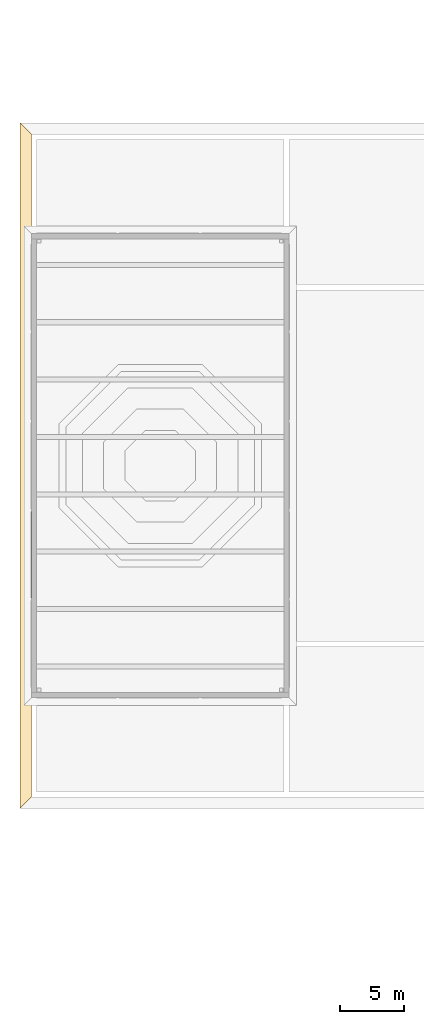
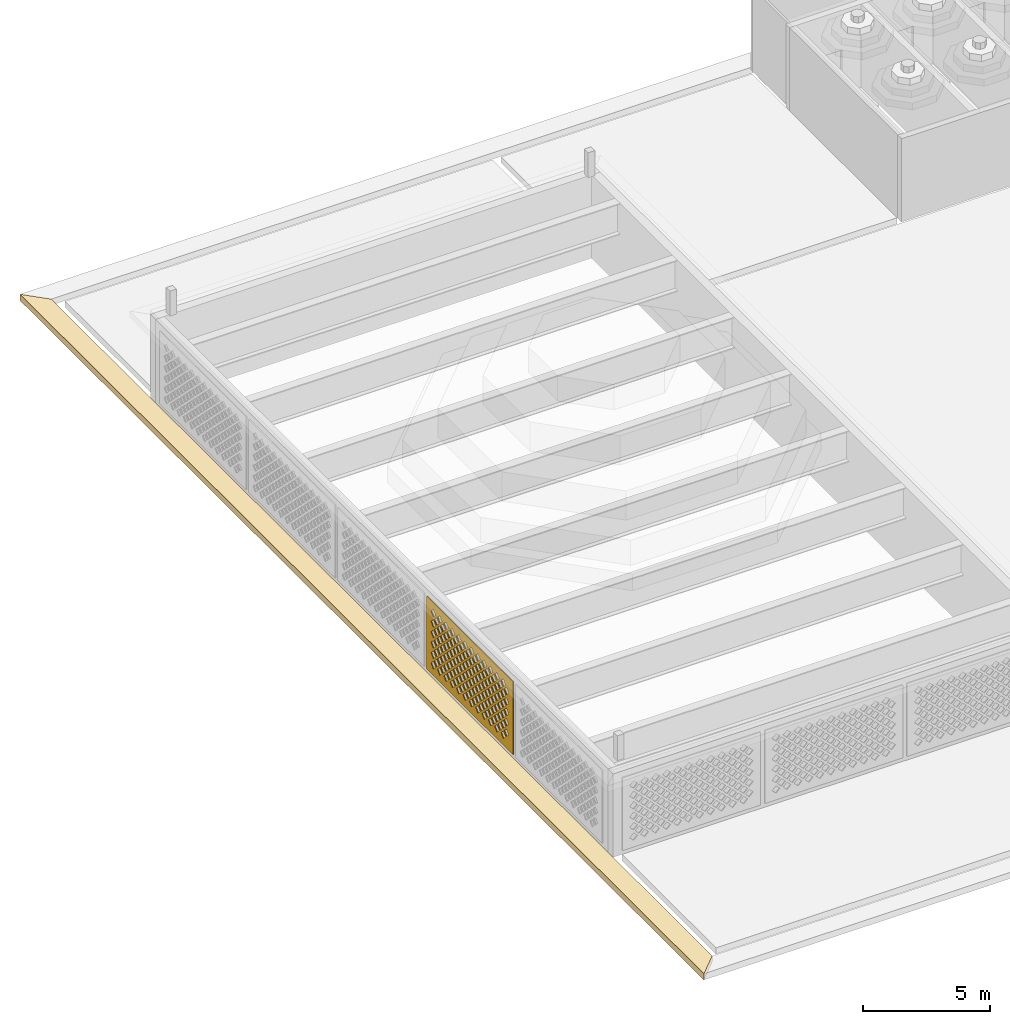
# One storey, part 24 of 63: 2 coverings.
"""IFC4 building model written with IfcOpenShell, lengths in metres."""

from ifc_helpers import new_model, si_unit, direction, frame, origin, place, context, subcontext, project, spatial, polyline, outline, extrude, material, layer, layer_set, type_object, element, save


model = new_model("IFC4")

# Units and contexts
model_context = context("Model", 3, precision=1e-05, world=origin(), true_north=direction((0.0, 1.0)))
body_context = subcontext(model_context, "Body", "Model", "MODEL_VIEW")
ifc_project = project(units=[si_unit("LENGTHUNIT", "METRE"), si_unit("AREAUNIT", "SQUARE_METRE"), si_unit("VOLUMEUNIT", "CUBIC_METRE"), si_unit("PLANEANGLEUNIT", "RADIAN"), si_unit("MASSUNIT", "GRAM", prefix="KILO")], contexts=[model_context])

# Site, building, storey
site_placement = place(None, origin())
site = spatial("IfcSite", under=ifc_project, at=site_placement, CompositionType="ELEMENT")
building_placement = place(site_placement, origin())
building = spatial("IfcBuilding", under=site, at=building_placement, Name="Noorbagh Ring Tower", CompositionType="ELEMENT")
storey_placement = place(building_placement, frame((0.0, 0.0, 25.0)))
storey = spatial("IfcBuildingStorey", under=building, at=storey_placement, Name="L04", CompositionType="ELEMENT", Elevation=25.0)

# Coverings
ifc_material_1 = material(Name="Red sandstone jali", Category="masonry")
ifc_layer = layer(ifc_material_1, 0.0400390625)
ifc_layer_set = layer_set([ifc_layer], Name="Red sandstone jali")
covering_type_1 = type_object("IfcCoveringType", Name="STH-BAND", PredefinedType="USERDEFINED", material=ifc_layer_set)
covering_1_placement = place(storey_placement, frame((-160.0400390625, 1.39990234375, 0.199951171875), z_axis=(-1.0, 0.0, 0.0), x_axis=(0.0, -1.0, 0.0)))
element("IfcCovering", 1, at=covering_1_placement, inside=storey, type_object=covering_type_1, Name="Jali band of the stage house", ObjectType="JALI SCREEN", PredefinedType="USERDEFINED", context=body_context, shape_type="SweptSolid", body=[
    extrude(outline(polyline([(0.0, 0.0), (6.7998046875, 0.0), (6.7998046875, 3.5), (0.0, 3.5), (0.0, 0.0)]), holes=[polyline([(0.344970703125, 0.5), (0.52490234375, 0.320068359375), (0.705078125, 0.5), (0.52490234375, 0.679931640625), (0.344970703125, 0.5)]), polyline([(0.844970703125, 0.5), (1.02490234375, 0.320068359375), (1.205078125, 0.5), (1.02490234375, 0.679931640625), (0.844970703125, 0.5)]), polyline([(1.344970703125, 0.5), (1.52490234375, 0.320068359375), (1.705078125, 0.5), (1.52490234375, 0.679931640625), (1.344970703125, 0.5)]), polyline([(1.844970703125, 0.5), (2.02490234375, 0.320068359375), (2.205078125, 0.5), (2.02490234375, 0.679931640625), (1.844970703125, 0.5)]), polyline([(2.344970703125, 0.5), (2.52490234375, 0.320068359375), (2.705078125, 0.5), (2.52490234375, 0.679931640625), (2.344970703125, 0.5)]), polyline([(2.844970703125, 0.5), (3.02490234375, 0.320068359375), (3.205078125, 0.5), (3.02490234375, 0.679931640625), (2.844970703125, 0.5)]), polyline([(3.344970703125, 0.5), (3.52490234375, 0.320068359375), (3.705078125, 0.5), (3.52490234375, 0.679931640625), (3.344970703125, 0.5)]), polyline([(3.844970703125, 0.5), (4.02490234375, 0.320068359375), (4.205078125, 0.5), (4.02490234375, 0.679931640625), (3.844970703125, 0.5)]), polyline([(4.344970703125, 0.5), (4.52490234375, 0.320068359375), (4.705078125, 0.5), (4.52490234375, 0.679931640625), (4.344970703125, 0.5)]), polyline([(4.844970703125, 0.5), (5.02490234375, 0.320068359375), (5.205078125, 0.5), (5.02490234375, 0.679931640625), (4.844970703125, 0.5)]), polyline([(5.344970703125, 0.5), (5.52490234375, 0.320068359375), (5.705078125, 0.5), (5.52490234375, 0.679931640625), (5.344970703125, 0.5)]), polyline([(5.844970703125, 0.5), (6.02490234375, 0.320068359375), (6.205078125, 0.5), (6.02490234375, 0.679931640625), (5.844970703125, 0.5)]), polyline([(0.594970703125, 0.75), (0.77490234375, 0.570068359375), (0.955078125, 0.75), (0.77490234375, 0.929931640625), (0.594970703125, 0.75)]), polyline([(1.094970703125, 0.75), (1.27490234375, 0.570068359375), (1.455078125, 0.75), (1.27490234375, 0.929931640625), (1.094970703125, 0.75)]), polyline([(1.594970703125, 0.75), (1.77490234375, 0.570068359375), (1.955078125, 0.75), (1.77490234375, 0.929931640625), (1.594970703125, 0.75)]), polyline([(2.094970703125, 0.75), (2.27490234375, 0.570068359375), (2.455078125, 0.75), (2.27490234375, 0.929931640625), (2.094970703125, 0.75)]), polyline([(2.594970703125, 0.75), (2.77490234375, 0.570068359375), (2.955078125, 0.75), (2.77490234375, 0.929931640625), (2.594970703125, 0.75)]), polyline([(3.094970703125, 0.75), (3.27490234375, 0.570068359375), (3.455078125, 0.75), (3.27490234375, 0.929931640625), (3.094970703125, 0.75)]), polyline([(3.594970703125, 0.75), (3.77490234375, 0.570068359375), (3.955078125, 0.75), (3.77490234375, 0.929931640625), (3.594970703125, 0.75)]), polyline([(4.094970703125, 0.75), (4.27490234375, 0.570068359375), (4.455078125, 0.75), (4.27490234375, 0.929931640625), (4.094970703125, 0.75)]), polyline([(4.594970703125, 0.75), (4.77490234375, 0.570068359375), (4.955078125, 0.75), (4.77490234375, 0.929931640625), (4.594970703125, 0.75)]), polyline([(5.094970703125, 0.75), (5.27490234375, 0.570068359375), (5.455078125, 0.75), (5.27490234375, 0.929931640625), (5.094970703125, 0.75)]), polyline([(5.594970703125, 0.75), (5.77490234375, 0.570068359375), (5.955078125, 0.75), (5.77490234375, 0.929931640625), (5.594970703125, 0.75)]), polyline([(6.094970703125, 0.75), (6.27490234375, 0.570068359375), (6.455078125, 0.75), (6.27490234375, 0.929931640625), (6.094970703125, 0.75)]), polyline([(0.344970703125, 1.0), (0.52490234375, 0.820068359375), (0.705078125, 1.0), (0.52490234375, 1.179931640625), (0.344970703125, 1.0)]), polyline([(0.844970703125, 1.0), (1.02490234375, 0.820068359375), (1.205078125, 1.0), (1.02490234375, 1.179931640625), (0.844970703125, 1.0)]), polyline([(1.344970703125, 1.0), (1.52490234375, 0.820068359375), (1.705078125, 1.0), (1.52490234375, 1.179931640625), (1.344970703125, 1.0)]), polyline([(1.844970703125, 1.0), (2.02490234375, 0.820068359375), (2.205078125, 1.0), (2.02490234375, 1.179931640625), (1.844970703125, 1.0)]), polyline([(2.344970703125, 1.0), (2.52490234375, 0.820068359375), (2.705078125, 1.0), (2.52490234375, 1.179931640625), (2.344970703125, 1.0)]), polyline([(2.844970703125, 1.0), (3.02490234375, 0.820068359375), (3.205078125, 1.0), (3.02490234375, 1.179931640625), (2.844970703125, 1.0)]), polyline([(3.344970703125, 1.0), (3.52490234375, 0.820068359375), (3.705078125, 1.0), (3.52490234375, 1.179931640625), (3.344970703125, 1.0)]), polyline([(3.844970703125, 1.0), (4.02490234375, 0.820068359375), (4.205078125, 1.0), (4.02490234375, 1.179931640625), (3.844970703125, 1.0)]), polyline([(4.344970703125, 1.0), (4.52490234375, 0.820068359375), (4.705078125, 1.0), (4.52490234375, 1.179931640625), (4.344970703125, 1.0)]), polyline([(4.844970703125, 1.0), (5.02490234375, 0.820068359375), (5.205078125, 1.0), (5.02490234375, 1.179931640625), (4.844970703125, 1.0)]), polyline([(5.344970703125, 1.0), (5.52490234375, 0.820068359375), (5.705078125, 1.0), (5.52490234375, 1.179931640625), (5.344970703125, 1.0)]), polyline([(5.844970703125, 1.0), (6.02490234375, 0.820068359375), (6.205078125, 1.0), (6.02490234375, 1.179931640625), (5.844970703125, 1.0)]), polyline([(0.594970703125, 1.25), (0.77490234375, 1.070068359375), (0.955078125, 1.25), (0.77490234375, 1.429931640625), (0.594970703125, 1.25)]), polyline([(1.094970703125, 1.25), (1.27490234375, 1.070068359375), (1.455078125, 1.25), (1.27490234375, 1.429931640625), (1.094970703125, 1.25)]), polyline([(1.594970703125, 1.25), (1.77490234375, 1.070068359375), (1.955078125, 1.25), (1.77490234375, 1.429931640625), (1.594970703125, 1.25)]), polyline([(2.094970703125, 1.25), (2.27490234375, 1.070068359375), (2.455078125, 1.25), (2.27490234375, 1.429931640625), (2.094970703125, 1.25)]), polyline([(2.594970703125, 1.25), (2.77490234375, 1.070068359375), (2.955078125, 1.25), (2.77490234375, 1.429931640625), (2.594970703125, 1.25)]), polyline([(3.094970703125, 1.25), (3.27490234375, 1.070068359375), (3.455078125, 1.25), (3.27490234375, 1.429931640625), (3.094970703125, 1.25)]), polyline([(3.594970703125, 1.25), (3.77490234375, 1.070068359375), (3.955078125, 1.25), (3.77490234375, 1.429931640625), (3.594970703125, 1.25)]), polyline([(4.094970703125, 1.25), (4.27490234375, 1.070068359375), (4.455078125, 1.25), (4.27490234375, 1.429931640625), (4.094970703125, 1.25)]), polyline([(4.594970703125, 1.25), (4.77490234375, 1.070068359375), (4.955078125, 1.25), (4.77490234375, 1.429931640625), (4.594970703125, 1.25)]), polyline([(5.094970703125, 1.25), (5.27490234375, 1.070068359375), (5.455078125, 1.25), (5.27490234375, 1.429931640625), (5.094970703125, 1.25)]), polyline([(5.594970703125, 1.25), (5.77490234375, 1.070068359375), (5.955078125, 1.25), (5.77490234375, 1.429931640625), (5.594970703125, 1.25)]), polyline([(6.094970703125, 1.25), (6.27490234375, 1.070068359375), (6.455078125, 1.25), (6.27490234375, 1.429931640625), (6.094970703125, 1.25)]), polyline([(0.344970703125, 1.5), (0.52490234375, 1.320068359375), (0.705078125, 1.5), (0.52490234375, 1.679931640625), (0.344970703125, 1.5)]), polyline([(0.844970703125, 1.5), (1.02490234375, 1.320068359375), (1.205078125, 1.5), (1.02490234375, 1.679931640625), (0.844970703125, 1.5)]), polyline([(1.344970703125, 1.5), (1.52490234375, 1.320068359375), (1.705078125, 1.5), (1.52490234375, 1.679931640625), (1.344970703125, 1.5)]), polyline([(1.844970703125, 1.5), (2.02490234375, 1.320068359375), (2.205078125, 1.5), (2.02490234375, 1.679931640625), (1.844970703125, 1.5)]), polyline([(2.344970703125, 1.5), (2.52490234375, 1.320068359375), (2.705078125, 1.5), (2.52490234375, 1.679931640625), (2.344970703125, 1.5)]), polyline([(2.844970703125, 1.5), (3.02490234375, 1.320068359375), (3.205078125, 1.5), (3.02490234375, 1.679931640625), (2.844970703125, 1.5)]), polyline([(3.344970703125, 1.5), (3.52490234375, 1.320068359375), (3.705078125, 1.5), (3.52490234375, 1.679931640625), (3.344970703125, 1.5)]), polyline([(3.844970703125, 1.5), (4.02490234375, 1.320068359375), (4.205078125, 1.5), (4.02490234375, 1.679931640625), (3.844970703125, 1.5)]), polyline([(4.344970703125, 1.5), (4.52490234375, 1.320068359375), (4.705078125, 1.5), (4.52490234375, 1.679931640625), (4.344970703125, 1.5)]), polyline([(4.844970703125, 1.5), (5.02490234375, 1.320068359375), (5.205078125, 1.5), (5.02490234375, 1.679931640625), (4.844970703125, 1.5)]), polyline([(5.344970703125, 1.5), (5.52490234375, 1.320068359375), (5.705078125, 1.5), (5.52490234375, 1.679931640625), (5.344970703125, 1.5)]), polyline([(5.844970703125, 1.5), (6.02490234375, 1.320068359375), (6.205078125, 1.5), (6.02490234375, 1.679931640625), (5.844970703125, 1.5)]), polyline([(0.594970703125, 1.75), (0.77490234375, 1.570068359375), (0.955078125, 1.75), (0.77490234375, 1.929931640625), (0.594970703125, 1.75)]), polyline([(1.094970703125, 1.75), (1.27490234375, 1.570068359375), (1.455078125, 1.75), (1.27490234375, 1.929931640625), (1.094970703125, 1.75)]), polyline([(1.594970703125, 1.75), (1.77490234375, 1.570068359375), (1.955078125, 1.75), (1.77490234375, 1.929931640625), (1.594970703125, 1.75)]), polyline([(2.094970703125, 1.75), (2.27490234375, 1.570068359375), (2.455078125, 1.75), (2.27490234375, 1.929931640625), (2.094970703125, 1.75)]), polyline([(2.594970703125, 1.75), (2.77490234375, 1.570068359375), (2.955078125, 1.75), (2.77490234375, 1.929931640625), (2.594970703125, 1.75)]), polyline([(3.094970703125, 1.75), (3.27490234375, 1.570068359375), (3.455078125, 1.75), (3.27490234375, 1.929931640625), (3.094970703125, 1.75)]), polyline([(3.594970703125, 1.75), (3.77490234375, 1.570068359375), (3.955078125, 1.75), (3.77490234375, 1.929931640625), (3.594970703125, 1.75)]), polyline([(4.094970703125, 1.75), (4.27490234375, 1.570068359375), (4.455078125, 1.75), (4.27490234375, 1.929931640625), (4.094970703125, 1.75)]), polyline([(4.594970703125, 1.75), (4.77490234375, 1.570068359375), (4.955078125, 1.75), (4.77490234375, 1.929931640625), (4.594970703125, 1.75)]), polyline([(5.094970703125, 1.75), (5.27490234375, 1.570068359375), (5.455078125, 1.75), (5.27490234375, 1.929931640625), (5.094970703125, 1.75)]), polyline([(5.594970703125, 1.75), (5.77490234375, 1.570068359375), (5.955078125, 1.75), (5.77490234375, 1.929931640625), (5.594970703125, 1.75)]), polyline([(6.094970703125, 1.75), (6.27490234375, 1.570068359375), (6.455078125, 1.75), (6.27490234375, 1.929931640625), (6.094970703125, 1.75)]), polyline([(0.344970703125, 2.0), (0.52490234375, 1.820068359375), (0.705078125, 2.0), (0.52490234375, 2.179931640625), (0.344970703125, 2.0)]), polyline([(0.844970703125, 2.0), (1.02490234375, 1.820068359375), (1.205078125, 2.0), (1.02490234375, 2.179931640625), (0.844970703125, 2.0)]), polyline([(1.344970703125, 2.0), (1.52490234375, 1.820068359375), (1.705078125, 2.0), (1.52490234375, 2.179931640625), (1.344970703125, 2.0)]), polyline([(1.844970703125, 2.0), (2.02490234375, 1.820068359375), (2.205078125, 2.0), (2.02490234375, 2.179931640625), (1.844970703125, 2.0)]), polyline([(2.344970703125, 2.0), (2.52490234375, 1.820068359375), (2.705078125, 2.0), (2.52490234375, 2.179931640625), (2.344970703125, 2.0)]), polyline([(2.844970703125, 2.0), (3.02490234375, 1.820068359375), (3.205078125, 2.0), (3.02490234375, 2.179931640625), (2.844970703125, 2.0)]), polyline([(3.344970703125, 2.0), (3.52490234375, 1.820068359375), (3.705078125, 2.0), (3.52490234375, 2.179931640625), (3.344970703125, 2.0)]), polyline([(3.844970703125, 2.0), (4.02490234375, 1.820068359375), (4.205078125, 2.0), (4.02490234375, 2.179931640625), (3.844970703125, 2.0)]), polyline([(4.344970703125, 2.0), (4.52490234375, 1.820068359375), (4.705078125, 2.0), (4.52490234375, 2.179931640625), (4.344970703125, 2.0)]), polyline([(4.844970703125, 2.0), (5.02490234375, 1.820068359375), (5.205078125, 2.0), (5.02490234375, 2.179931640625), (4.844970703125, 2.0)]), polyline([(5.344970703125, 2.0), (5.52490234375, 1.820068359375), (5.705078125, 2.0), (5.52490234375, 2.179931640625), (5.344970703125, 2.0)]), polyline([(5.844970703125, 2.0), (6.02490234375, 1.820068359375), (6.205078125, 2.0), (6.02490234375, 2.179931640625), (5.844970703125, 2.0)]), polyline([(0.594970703125, 2.25), (0.77490234375, 2.070068359375), (0.955078125, 2.25), (0.77490234375, 2.429931640625), (0.594970703125, 2.25)]), polyline([(1.094970703125, 2.25), (1.27490234375, 2.070068359375), (1.455078125, 2.25), (1.27490234375, 2.429931640625), (1.094970703125, 2.25)]), polyline([(1.594970703125, 2.25), (1.77490234375, 2.070068359375), (1.955078125, 2.25), (1.77490234375, 2.429931640625), (1.594970703125, 2.25)]), polyline([(2.094970703125, 2.25), (2.27490234375, 2.070068359375), (2.455078125, 2.25), (2.27490234375, 2.429931640625), (2.094970703125, 2.25)]), polyline([(2.594970703125, 2.25), (2.77490234375, 2.070068359375), (2.955078125, 2.25), (2.77490234375, 2.429931640625), (2.594970703125, 2.25)]), polyline([(3.094970703125, 2.25), (3.27490234375, 2.070068359375), (3.455078125, 2.25), (3.27490234375, 2.429931640625), (3.094970703125, 2.25)]), polyline([(3.594970703125, 2.25), (3.77490234375, 2.070068359375), (3.955078125, 2.25), (3.77490234375, 2.429931640625), (3.594970703125, 2.25)]), polyline([(4.094970703125, 2.25), (4.27490234375, 2.070068359375), (4.455078125, 2.25), (4.27490234375, 2.429931640625), (4.094970703125, 2.25)]), polyline([(4.594970703125, 2.25), (4.77490234375, 2.070068359375), (4.955078125, 2.25), (4.77490234375, 2.429931640625), (4.594970703125, 2.25)]), polyline([(5.094970703125, 2.25), (5.27490234375, 2.070068359375), (5.455078125, 2.25), (5.27490234375, 2.429931640625), (5.094970703125, 2.25)]), polyline([(5.594970703125, 2.25), (5.77490234375, 2.070068359375), (5.955078125, 2.25), (5.77490234375, 2.429931640625), (5.594970703125, 2.25)]), polyline([(6.094970703125, 2.25), (6.27490234375, 2.070068359375), (6.455078125, 2.25), (6.27490234375, 2.429931640625), (6.094970703125, 2.25)]), polyline([(0.344970703125, 2.5), (0.52490234375, 2.320068359375), (0.705078125, 2.5), (0.52490234375, 2.679931640625), (0.344970703125, 2.5)]), polyline([(0.844970703125, 2.5), (1.02490234375, 2.320068359375), (1.205078125, 2.5), (1.02490234375, 2.679931640625), (0.844970703125, 2.5)]), polyline([(1.344970703125, 2.5), (1.52490234375, 2.320068359375), (1.705078125, 2.5), (1.52490234375, 2.679931640625), (1.344970703125, 2.5)]), polyline([(1.844970703125, 2.5), (2.02490234375, 2.320068359375), (2.205078125, 2.5), (2.02490234375, 2.679931640625), (1.844970703125, 2.5)]), polyline([(2.344970703125, 2.5), (2.52490234375, 2.320068359375), (2.705078125, 2.5), (2.52490234375, 2.679931640625), (2.344970703125, 2.5)]), polyline([(2.844970703125, 2.5), (3.02490234375, 2.320068359375), (3.205078125, 2.5), (3.02490234375, 2.679931640625), (2.844970703125, 2.5)]), polyline([(3.344970703125, 2.5), (3.52490234375, 2.320068359375), (3.705078125, 2.5), (3.52490234375, 2.679931640625), (3.344970703125, 2.5)]), polyline([(3.844970703125, 2.5), (4.02490234375, 2.320068359375), (4.205078125, 2.5), (4.02490234375, 2.679931640625), (3.844970703125, 2.5)]), polyline([(4.344970703125, 2.5), (4.52490234375, 2.320068359375), (4.705078125, 2.5), (4.52490234375, 2.679931640625), (4.344970703125, 2.5)]), polyline([(4.844970703125, 2.5), (5.02490234375, 2.320068359375), (5.205078125, 2.5), (5.02490234375, 2.679931640625), (4.844970703125, 2.5)]), polyline([(5.344970703125, 2.5), (5.52490234375, 2.320068359375), (5.705078125, 2.5), (5.52490234375, 2.679931640625), (5.344970703125, 2.5)]), polyline([(5.844970703125, 2.5), (6.02490234375, 2.320068359375), (6.205078125, 2.5), (6.02490234375, 2.679931640625), (5.844970703125, 2.5)]), polyline([(0.594970703125, 2.75), (0.77490234375, 2.570068359375), (0.955078125, 2.75), (0.77490234375, 2.929931640625), (0.594970703125, 2.75)]), polyline([(1.094970703125, 2.75), (1.27490234375, 2.570068359375), (1.455078125, 2.75), (1.27490234375, 2.929931640625), (1.094970703125, 2.75)]), polyline([(1.594970703125, 2.75), (1.77490234375, 2.570068359375), (1.955078125, 2.75), (1.77490234375, 2.929931640625), (1.594970703125, 2.75)]), polyline([(2.094970703125, 2.75), (2.27490234375, 2.570068359375), (2.455078125, 2.75), (2.27490234375, 2.929931640625), (2.094970703125, 2.75)]), polyline([(2.594970703125, 2.75), (2.77490234375, 2.570068359375), (2.955078125, 2.75), (2.77490234375, 2.929931640625), (2.594970703125, 2.75)]), polyline([(3.094970703125, 2.75), (3.27490234375, 2.570068359375), (3.455078125, 2.75), (3.27490234375, 2.929931640625), (3.094970703125, 2.75)]), polyline([(3.594970703125, 2.75), (3.77490234375, 2.570068359375), (3.955078125, 2.75), (3.77490234375, 2.929931640625), (3.594970703125, 2.75)]), polyline([(4.094970703125, 2.75), (4.27490234375, 2.570068359375), (4.455078125, 2.75), (4.27490234375, 2.929931640625), (4.094970703125, 2.75)]), polyline([(4.594970703125, 2.75), (4.77490234375, 2.570068359375), (4.955078125, 2.75), (4.77490234375, 2.929931640625), (4.594970703125, 2.75)]), polyline([(5.094970703125, 2.75), (5.27490234375, 2.570068359375), (5.455078125, 2.75), (5.27490234375, 2.929931640625), (5.094970703125, 2.75)]), polyline([(5.594970703125, 2.75), (5.77490234375, 2.570068359375), (5.955078125, 2.75), (5.77490234375, 2.929931640625), (5.594970703125, 2.75)]), polyline([(6.094970703125, 2.75), (6.27490234375, 2.570068359375), (6.455078125, 2.75), (6.27490234375, 2.929931640625), (6.094970703125, 2.75)]), polyline([(0.344970703125, 3.0), (0.52490234375, 2.820068359375), (0.705078125, 3.0), (0.52490234375, 3.179931640625), (0.344970703125, 3.0)]), polyline([(0.844970703125, 3.0), (1.02490234375, 2.820068359375), (1.205078125, 3.0), (1.02490234375, 3.179931640625), (0.844970703125, 3.0)]), polyline([(1.344970703125, 3.0), (1.52490234375, 2.820068359375), (1.705078125, 3.0), (1.52490234375, 3.179931640625), (1.344970703125, 3.0)]), polyline([(1.844970703125, 3.0), (2.02490234375, 2.820068359375), (2.205078125, 3.0), (2.02490234375, 3.179931640625), (1.844970703125, 3.0)]), polyline([(2.344970703125, 3.0), (2.52490234375, 2.820068359375), (2.705078125, 3.0), (2.52490234375, 3.179931640625), (2.344970703125, 3.0)]), polyline([(2.844970703125, 3.0), (3.02490234375, 2.820068359375), (3.205078125, 3.0), (3.02490234375, 3.179931640625), (2.844970703125, 3.0)]), polyline([(3.344970703125, 3.0), (3.52490234375, 2.820068359375), (3.705078125, 3.0), (3.52490234375, 3.179931640625), (3.344970703125, 3.0)]), polyline([(3.844970703125, 3.0), (4.02490234375, 2.820068359375), (4.205078125, 3.0), (4.02490234375, 3.179931640625), (3.844970703125, 3.0)]), polyline([(4.344970703125, 3.0), (4.52490234375, 2.820068359375), (4.705078125, 3.0), (4.52490234375, 3.179931640625), (4.344970703125, 3.0)]), polyline([(4.844970703125, 3.0), (5.02490234375, 2.820068359375), (5.205078125, 3.0), (5.02490234375, 3.179931640625), (4.844970703125, 3.0)]), polyline([(5.344970703125, 3.0), (5.52490234375, 2.820068359375), (5.705078125, 3.0), (5.52490234375, 3.179931640625), (5.344970703125, 3.0)]), polyline([(5.844970703125, 3.0), (6.02490234375, 2.820068359375), (6.205078125, 3.0), (6.02490234375, 3.179931640625), (5.844970703125, 3.0)])]), origin(), (0.0, 0.0, -1.0), 0.0400390625),
])
ifc_material_2 = material(Name="Red sandstone eave", Category="masonry")
covering_type_2 = type_object("IfcCoveringType", Name="STH-CHHAJJA", PredefinedType="USERDEFINED", material=ifc_material_2)
covering_2_placement = place(storey_placement, frame((0.0, 0.0, -0.300048828125)))
element("IfcCovering", 2, at=covering_2_placement, inside=storey, type_object=covering_type_2, Name="Chhajja eave at the roof edge", ObjectType="CHHAJJA", PredefinedType="USERDEFINED", context=body_context, shape_type="SweptSolid", body=[
    extrude(outline(polyline([(-160.0, 31.0), (-160.0, -21.0), (-160.89990234375, -21.89990234375), (-160.89990234375, 31.89990234375), (-160.0, 31.0)])), origin(), (0.0, 0.0, 1.0), 0.300048828125),
])

save(model, "model.ifc")
